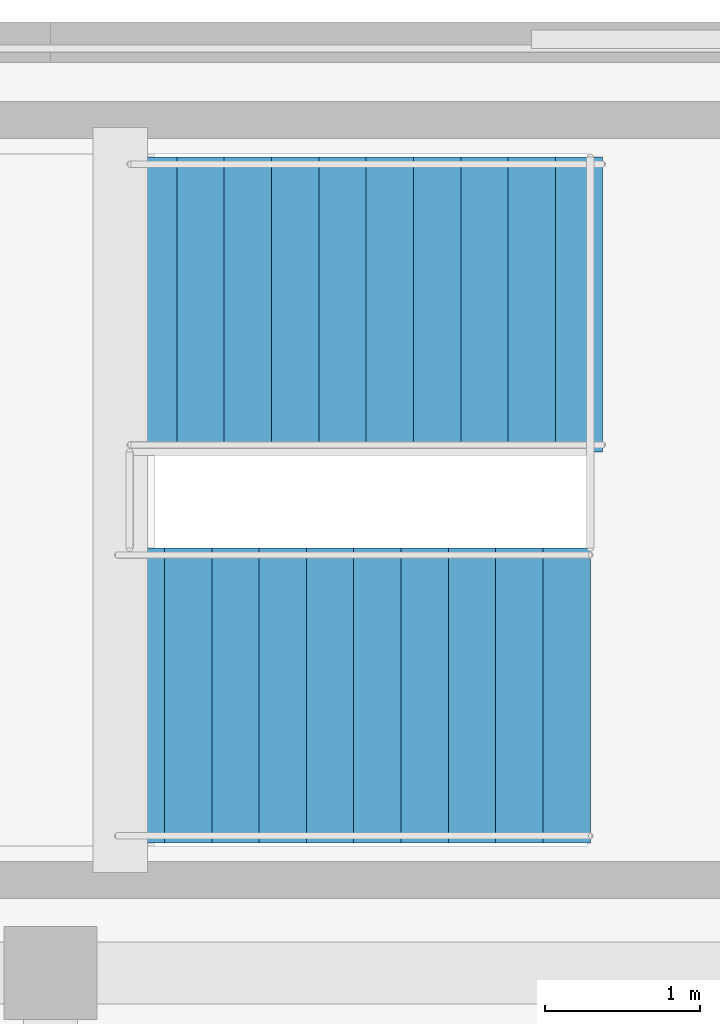
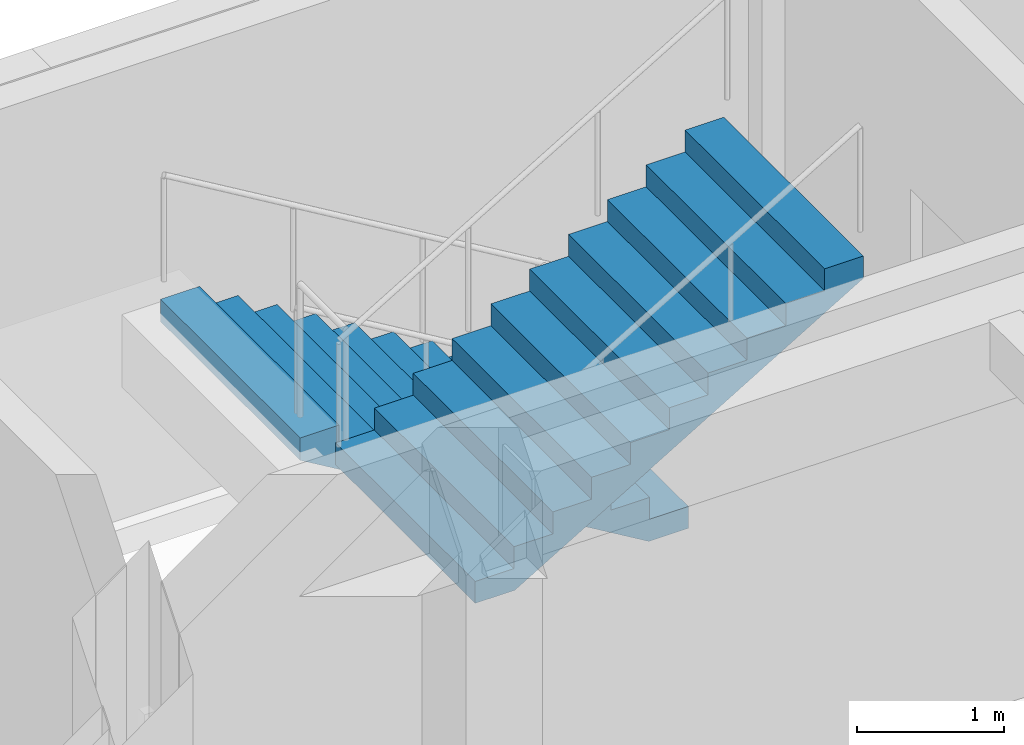
# One storey, part 139 of 159: 2 stair flights, 1 element without a shape of its own.
"""IFC4 building model written with IfcOpenShell, lengths in metres."""

from ifc_helpers import new_model, si_unit, direction, frame, origin, place, context, subcontext, project, spatial, polyline, outline, extrude, material, type_object, element, aggregate, save


model = new_model("IFC4")

# Units and contexts
model_context = context("Model", 3, precision=1e-05, world=origin(), true_north=direction((0.0, 1.0)))
body_context = subcontext(model_context, "Body", "Model", "MODEL_VIEW")
ifc_project = project(units=[si_unit("LENGTHUNIT", "METRE"), si_unit("AREAUNIT", "SQUARE_METRE"), si_unit("VOLUMEUNIT", "CUBIC_METRE"), si_unit("PLANEANGLEUNIT", "RADIAN"), si_unit("MASSUNIT", "GRAM", prefix="KILO")], contexts=[model_context])

# Site, building, storey
site_placement = place(None, origin())
site = spatial("IfcSite", under=ifc_project, at=site_placement, CompositionType="ELEMENT")
building_placement = place(site_placement, origin())
building = spatial("IfcBuilding", under=site, at=building_placement, Name="Celadon Cloister-Ring School", CompositionType="ELEMENT")
storey_placement = place(building_placement, frame((0.0, 0.0, 4.5)))
storey = spatial("IfcBuildingStorey", under=building, at=storey_placement, Name="L01", CompositionType="ELEMENT", Elevation=4.5)

# Stair, stair flights
ifc_material_1 = material(Name="Concrete C35/45", Category="concrete")
stair_type = type_object("IfcStairType", Name="ST-04", PredefinedType="HALF_TURN_STAIR", material=ifc_material_1)
stair_placement = place(storey_placement, origin())
stair = element("IfcStair", 1, at=stair_placement, inside=storey, type_object=stair_type, Name="Exit Stair ST-V4B L01", PredefinedType="HALF_TURN_STAIR")
ifc_material_2 = material(Name="Concrete C35/45", Category="concrete")
stair_flight_type = type_object("IfcStairFlightType", Name="SFL-02", PredefinedType="STRAIGHT", material=ifc_material_2)
stair_flight_1_placement = place(storey_placement, frame((153.56005859375, 58.31005859375, 0.0), z_axis=(0.0, 0.0, 1.0), x_axis=(-1.0, 0.0, 0.0)))
stair_flight_1 = element("IfcStairFlight", 2, at=stair_flight_1_placement, type_object=stair_flight_type, Name="ST-04 flight 1", NumberOfRisers=11, NumberOfTreads=10, PredefinedType="STRAIGHT", RiserHeight=0.181818182, TreadLength=0.305, context=body_context, shape_type="SweptSolid", body=[
    extrude(outline(polyline([(0.0, 0.0), (0.0, 0.181884765625), (0.304931640625, 0.181884765625), (0.304931640625, 0.363525390625), (0.610107421875, 0.363525390625), (0.610107421875, 0.54541015625), (0.9150390625, 0.54541015625), (0.9150390625, 0.727294921875), (1.219970703125, 0.727294921875), (1.219970703125, 0.9091796875), (1.52490234375, 0.9091796875), (1.52490234375, 1.0908203125), (1.830078125, 1.0908203125), (1.830078125, 1.272705078125), (2.135009765625, 1.272705078125), (2.135009765625, 1.45458984375), (2.43994140625, 1.45458984375), (2.43994140625, 1.636474609375), (2.7451171875, 1.636474609375), (2.7451171875, 1.818115234375), (3.050048828125, 1.818115234375), (3.050048828125, 2.0), (3.050048828125, 1.632080078125), (0.312255859375, 0.0), (0.0, 0.0)])), frame((0.0, 0.949951171875, 0.0), z_axis=(0.0, -1.0, 0.0), x_axis=(1.0, 0.0, 0.0)), (0.0, 0.0, 1.0), 1.89990234375),
])
stair_flight_2_placement = place(storey_placement, frame((150.429931640625, 55.7900390625, 2.0), z_axis=(0.0, 0.0, 1.0), x_axis=(1.0, 0.0, 0.0)))
stair_flight_2 = element("IfcStairFlight", 3, at=stair_flight_2_placement, type_object=stair_flight_type, Name="ST-04 flight 2", NumberOfRisers=11, NumberOfTreads=10, PredefinedType="STRAIGHT", RiserHeight=0.181818182, TreadLength=0.305, context=body_context, shape_type="SweptSolid", body=[
    extrude(outline(polyline([(0.0, 0.0), (0.0, 0.181884765625), (0.304931640625, 0.181884765625), (0.304931640625, 0.363525390625), (0.610107421875, 0.363525390625), (0.610107421875, 0.54541015625), (0.9150390625, 0.54541015625), (0.9150390625, 0.727294921875), (1.219970703125, 0.727294921875), (1.219970703125, 0.9091796875), (1.52490234375, 0.9091796875), (1.52490234375, 1.0908203125), (1.830078125, 1.0908203125), (1.830078125, 1.272705078125), (2.135009765625, 1.272705078125), (2.135009765625, 1.45458984375), (2.43994140625, 1.45458984375), (2.43994140625, 1.636474609375), (2.7451171875, 1.636474609375), (2.7451171875, 1.818115234375), (3.050048828125, 1.818115234375), (3.050048828125, 2.0), (3.050048828125, 1.632080078125), (0.312255859375, 0.0), (0.0, 0.0)])), frame((0.0, 0.949951171875, 0.0), z_axis=(0.0, -1.0, 0.0), x_axis=(1.0, 0.0, 0.0)), (0.0, 0.0, 1.0), 1.89990234375),
])
aggregate(stair, [stair_flight_1, stair_flight_2])

save(model, "model.ifc")
